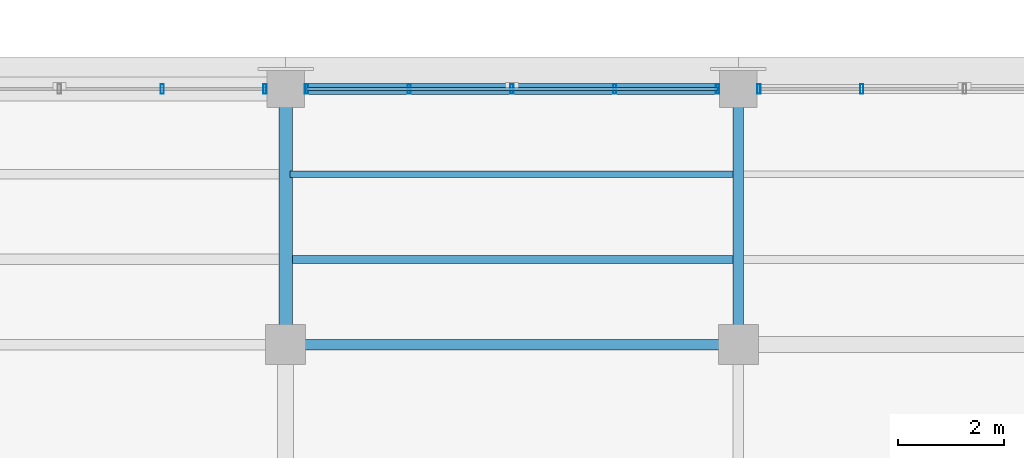
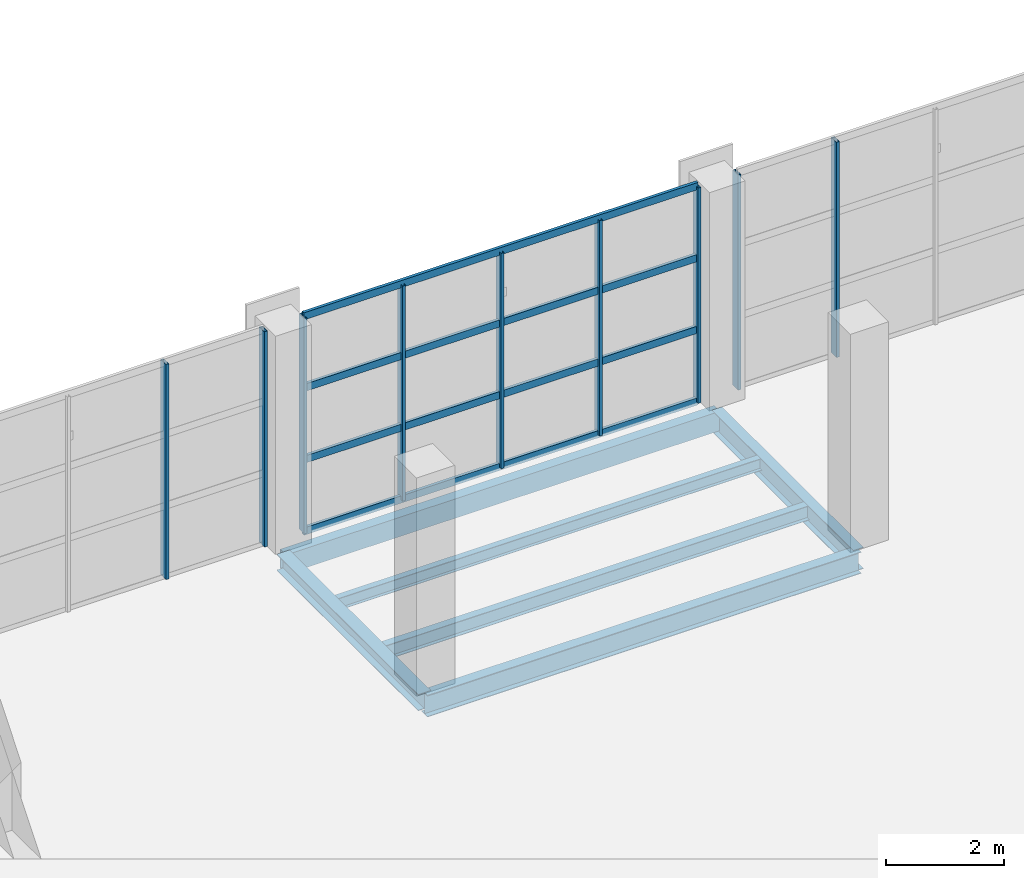
# One storey, part 19 of 101: 13 members, 6 beams, 3 elements without a shape of their own.
"""IFC4 building model written with IfcOpenShell, lengths in metres."""

from ifc_helpers import new_model, si_unit, direction, frame, origin, origin_2d, place, context, subcontext, project, spatial, hollow_rectangle, i_section, extrude, material, material_profile, profile_set, type_object, element, aggregate, save


model = new_model("IFC4")

# Units and contexts
model_context = context("Model", 3, precision=1e-05, world=origin(), true_north=direction((0.0, 1.0)))
body_context = subcontext(model_context, "Body", "Model", "MODEL_VIEW")
ifc_project = project(units=[si_unit("LENGTHUNIT", "METRE"), si_unit("AREAUNIT", "SQUARE_METRE"), si_unit("VOLUMEUNIT", "CUBIC_METRE"), si_unit("PLANEANGLEUNIT", "RADIAN"), si_unit("MASSUNIT", "GRAM", prefix="KILO")], contexts=[model_context])

# Site, building, storey
site_placement = place(None, origin())
site = spatial("IfcSite", under=ifc_project, at=site_placement, CompositionType="ELEMENT")
building_placement = place(site_placement, origin())
building = spatial("IfcBuilding", under=site, at=building_placement, Name="Solvikara Media Centre", CompositionType="ELEMENT")
storey_placement = place(building_placement, frame((0.0, 0.0, 10.199951171875)))
storey = spatial("IfcBuildingStorey", under=building, at=storey_placement, Name="L02", CompositionType="ELEMENT", Elevation=10.199951171875)

# Beams
ifc_material_1 = material(Name="Steel S355JR", Category="steel")
ifc_material_profile_1 = material_profile(ifc_material_1, i_section(OverallWidth=0.199951171875, OverallDepth=0.449951171875, WebThickness=0.009033203125, FlangeThickness=0.013916015625, at=origin_2d()), Name="WF 450x200x9x14")
ifc_profile_set_1 = profile_set([ifc_material_profile_1], Name="Steel S355JR")
beam_type_1 = type_object("IfcBeamType", Name="BM-20", PredefinedType="BEAM", material=ifc_profile_set_1)
beam_1_placement = place(storey_placement, frame((51.0, 32.0, -0.5068359375), z_axis=(1.0, 0.0, 0.0), x_axis=(0.0, 1.0, 0.0)))
element("IfcBeam", 1, at=beam_1_placement, inside=storey, type_object=beam_type_1, Name="B-L02-X0858", PredefinedType="BEAM", context=body_context, shape_type="SweptSolid", body=[
    extrude(i_section(OverallWidth=0.199951171875, OverallDepth=0.449951171875, WebThickness=0.009033203125, FlangeThickness=0.013916015625, at=origin_2d()), origin(), (0.0, 0.0, 1.0), 8.5),
])
ifc_material_profile_2 = material_profile(ifc_material_1, i_section(OverallWidth=0.25, OverallDepth=0.340087890625, WebThickness=0.009033203125, FlangeThickness=0.013916015625, at=origin_2d()), Name="H 340x250x9x14")
ifc_profile_set_2 = profile_set([ifc_material_profile_2], Name="Steel S355JR")
beam_type_2 = type_object("IfcBeamType", Name="BM-30", PredefinedType="BEAM", material=ifc_profile_set_2)
beam_2_placement = place(storey_placement, frame((51.0, 32.0, -0.451904296875), z_axis=(0.0, 1.0, 0.0), x_axis=(-1.0, 0.0, 0.0)))
element("IfcBeam", 2, at=beam_2_placement, inside=storey, type_object=beam_type_2, Name="B-L02-Y0962", PredefinedType="BEAM", context=body_context, shape_type="SweptSolid", body=[
    extrude(i_section(OverallWidth=0.25, OverallDepth=0.340087890625, WebThickness=0.009033203125, FlangeThickness=0.013916015625, at=origin_2d()), origin(), (0.0, 0.0, 1.0), 4.800048828125),
])
ifc_material_profile_3 = material_profile(ifc_material_1, hollow_rectangle(XDim=0.199951171875, YDim=0.39990234375, WallThickness=0.011962890625, at=origin_2d()), Name="RHS 400x200x12")
ifc_profile_set_3 = profile_set([ifc_material_profile_3], Name="Steel S355JR")
beam_type_3 = type_object("IfcBeamType", Name="BM-33", PredefinedType="SPANDREL", material=ifc_profile_set_3)
beam_3_placement = place(storey_placement, frame((51.0, 36.800048828125, -0.48193359375), z_axis=(1.0, 0.0, 0.0), x_axis=(0.0, 1.0, 0.0)))
element("IfcBeam", 3, at=beam_3_placement, inside=storey, type_object=beam_type_3, Name="B-L02-X0861", PredefinedType="SPANDREL", context=body_context, shape_type="SweptSolid", body=[
    extrude(hollow_rectangle(XDim=0.199951171875, YDim=0.39990234375, WallThickness=0.011962890625, at=origin_2d()), origin(), (0.0, 0.0, 1.0), 8.5),
])
ifc_material_profile_4 = material_profile(ifc_material_1, i_section(OverallWidth=0.14892578125, OverallDepth=0.298095703125, WebThickness=0.005615234375, FlangeThickness=0.008056640625, at=origin_2d()), Name="WF 298x149x5.5x8")
ifc_profile_set_4 = profile_set([ifc_material_profile_4], Name="Steel S355JR")
beam_type_4 = type_object("IfcBeamType", Name="BM-39", PredefinedType="JOIST", material=ifc_profile_set_4)
beam_4_placement = place(storey_placement, frame((51.077880859375, 33.60009765625, -0.430908203125), z_axis=(1.0, 0.0, 0.0), x_axis=(0.0, 1.0, 0.0)))
element("IfcBeam", 4, at=beam_4_placement, inside=storey, type_object=beam_type_4, Name="J-L02-1111", PredefinedType="JOIST", context=body_context, shape_type="SweptSolid", body=[
    extrude(i_section(OverallWidth=0.14892578125, OverallDepth=0.298095703125, WebThickness=0.005615234375, FlangeThickness=0.008056640625, at=origin_2d()), origin(), (0.0, 0.0, 1.0), 8.34423828125),
])
ifc_material_profile_5 = material_profile(ifc_material_1, i_section(OverallWidth=0.1240234375, OverallDepth=0.248046875, WebThickness=0.0048828125, FlangeThickness=0.008056640625, at=origin_2d()), Name="WF 248x124x5x8")
ifc_profile_set_5 = profile_set([ifc_material_profile_5], Name="Steel S355JR")
beam_type_5 = type_object("IfcBeamType", Name="BM-40", PredefinedType="JOIST", material=ifc_profile_set_5)
beam_5_placement = place(storey_placement, frame((51.077880859375, 35.199951171875, -0.406005859375), z_axis=(1.0, 0.0, 0.0), x_axis=(0.0, 1.0, 0.0)))
element("IfcBeam", 5, at=beam_5_placement, inside=storey, type_object=beam_type_5, Name="J-L02-1112", PredefinedType="JOIST", context=body_context, shape_type="SweptSolid", body=[
    extrude(i_section(OverallWidth=0.1240234375, OverallDepth=0.248046875, WebThickness=0.0048828125, FlangeThickness=0.008056640625, at=origin_2d()), origin(), (0.0, 0.0, 1.0), 8.34423828125),
])
ifc_material_profile_6 = material_profile(ifc_material_1, i_section(OverallWidth=0.198974609375, OverallDepth=0.446044921875, WebThickness=0.008056640625, FlangeThickness=0.011962890625, at=origin_2d()), Name="H 446x199x8x12")
ifc_profile_set_6 = profile_set([ifc_material_profile_6], Name="Steel S355JR")
beam_type_6 = type_object("IfcBeamType", Name="BM-43", PredefinedType="BEAM", material=ifc_profile_set_6)
beam_6_placement = place(storey_placement, frame((59.5, 32.0, -0.5048828125), z_axis=(0.0, 1.0, 0.0), x_axis=(-1.0, 0.0, 0.0)))
element("IfcBeam", 6, at=beam_6_placement, inside=storey, type_object=beam_type_6, Name="B-L02-Y0965", PredefinedType="BEAM", context=body_context, shape_type="SweptSolid", body=[
    extrude(i_section(OverallWidth=0.198974609375, OverallDepth=0.446044921875, WebThickness=0.008056640625, FlangeThickness=0.011962890625, at=origin_2d()), origin(), (0.0, 0.0, 1.0), 4.800048828125),
])

# Curtain wall, members
ifc_material_2 = material(Name="Anodised aluminium EN AW-6063", Category="aluminium")
curtain_wall_type = type_object("IfcCurtainWallType", Name="CW-05", PredefinedType="NOTDEFINED", material=ifc_material_2)
curtain_wall_1_placement = place(storey_placement, origin())
curtain_wall_1 = element("IfcCurtainWall", 7, at=curtain_wall_1_placement, inside=storey, type_object=curtain_wall_type, Name="CW-L02-V6N-1", PredefinedType="NOTDEFINED")
ifc_material_profile_7 = material_profile(ifc_material_2, hollow_rectangle(XDim=0.06005859375, YDim=0.179931640625, WallThickness=0.00341796875, at=origin_2d()), Name="ALU-M 60x180x3.5")
ifc_profile_set_7 = profile_set([ifc_material_profile_7], Name="Anodised aluminium EN AW-6063")
member_type_1 = type_object("IfcMemberType", Name="MF-03", PredefinedType="MULLION", material=ifc_profile_set_7)
member_1_placement = place(storey_placement, frame((48.679931640625, 36.800048828125, 0.02001953125), z_axis=(0.0, 0.0, 1.0), x_axis=(1.0, 0.0, 0.0)))
member_1 = element("IfcMember", 8, at=member_1_placement, type_object=member_type_1, Name="CW-L02-V6N-1-M03", PredefinedType="MULLION", context=body_context, shape_type="SweptSolid", body=[
    extrude(hollow_rectangle(XDim=0.06005859375, YDim=0.179931640625, WallThickness=0.00341796875, at=origin_2d()), origin(), (0.0, 0.0, 1.0), 4.4599609375),
])
member_2_placement = place(storey_placement, frame((50.610107421875, 36.800048828125, 0.02001953125), z_axis=(0.0, 0.0, 1.0), x_axis=(1.0, 0.0, 0.0)))
member_2 = element("IfcMember", 9, at=member_2_placement, type_object=member_type_1, Name="CW-L02-V6N-1-M04", PredefinedType="MULLION", context=body_context, shape_type="SweptSolid", body=[
    extrude(hollow_rectangle(XDim=0.06005859375, YDim=0.179931640625, WallThickness=0.00341796875, at=origin_2d()), origin(), (0.0, 0.0, 1.0), 4.4599609375),
])
aggregate(curtain_wall_1, [member_1, member_2])

curtain_wall_2_placement = place(storey_placement, origin())
curtain_wall_2 = element("IfcCurtainWall", 10, at=curtain_wall_2_placement, inside=storey, type_object=curtain_wall_type, Name="CW-L02-V6N-2", PredefinedType="NOTDEFINED")
member_3_placement = place(storey_placement, frame((51.389892578125, 36.800048828125, 0.02001953125), z_axis=(0.0, 0.0, 1.0), x_axis=(1.0, 0.0, 0.0)))
member_3 = element("IfcMember", 11, at=member_3_placement, type_object=member_type_1, Name="CW-L02-V6N-2-M00", PredefinedType="MULLION", context=body_context, shape_type="SweptSolid", body=[
    extrude(hollow_rectangle(XDim=0.06005859375, YDim=0.179931640625, WallThickness=0.00341796875, at=origin_2d()), origin(), (0.0, 0.0, 1.0), 4.4599609375),
])
member_4_placement = place(storey_placement, frame((53.320068359375, 36.800048828125, 0.02001953125), z_axis=(0.0, 0.0, 1.0), x_axis=(1.0, 0.0, 0.0)))
member_4 = element("IfcMember", 12, at=member_4_placement, type_object=member_type_1, Name="CW-L02-V6N-2-M01", PredefinedType="MULLION", context=body_context, shape_type="SweptSolid", body=[
    extrude(hollow_rectangle(XDim=0.06005859375, YDim=0.179931640625, WallThickness=0.00341796875, at=origin_2d()), origin(), (0.0, 0.0, 1.0), 4.4599609375),
])
member_5_placement = place(storey_placement, frame((55.25, 36.800048828125, 0.02001953125), z_axis=(0.0, 0.0, 1.0), x_axis=(1.0, 0.0, 0.0)))
member_5 = element("IfcMember", 13, at=member_5_placement, type_object=member_type_1, Name="CW-L02-V6N-2-M02", PredefinedType="MULLION", context=body_context, shape_type="SweptSolid", body=[
    extrude(hollow_rectangle(XDim=0.06005859375, YDim=0.179931640625, WallThickness=0.00341796875, at=origin_2d()), origin(), (0.0, 0.0, 1.0), 4.4599609375),
])
member_6_placement = place(storey_placement, frame((57.179931640625, 36.800048828125, 0.02001953125), z_axis=(0.0, 0.0, 1.0), x_axis=(1.0, 0.0, 0.0)))
member_6 = element("IfcMember", 14, at=member_6_placement, type_object=member_type_1, Name="CW-L02-V6N-2-M03", PredefinedType="MULLION", context=body_context, shape_type="SweptSolid", body=[
    extrude(hollow_rectangle(XDim=0.06005859375, YDim=0.179931640625, WallThickness=0.00341796875, at=origin_2d()), origin(), (0.0, 0.0, 1.0), 4.4599609375),
])
member_7_placement = place(storey_placement, frame((59.110107421875, 36.800048828125, 0.02001953125), z_axis=(0.0, 0.0, 1.0), x_axis=(1.0, 0.0, 0.0)))
member_7 = element("IfcMember", 15, at=member_7_placement, type_object=member_type_1, Name="CW-L02-V6N-2-M04", PredefinedType="MULLION", context=body_context, shape_type="SweptSolid", body=[
    extrude(hollow_rectangle(XDim=0.06005859375, YDim=0.179931640625, WallThickness=0.00341796875, at=origin_2d()), origin(), (0.0, 0.0, 1.0), 4.4599609375),
])

curtain_wall_3_placement = place(storey_placement, origin())
curtain_wall_3 = element("IfcCurtainWall", 16, at=curtain_wall_3_placement, inside=storey, type_object=curtain_wall_type, Name="CW-L02-V6N-3", PredefinedType="NOTDEFINED")
member_8_placement = place(storey_placement, frame((59.889892578125, 36.800048828125, 0.02001953125), z_axis=(0.0, 0.0, 1.0), x_axis=(1.0, 0.0, 0.0)))
member_8 = element("IfcMember", 17, at=member_8_placement, type_object=member_type_1, Name="CW-L02-V6N-3-M00", PredefinedType="MULLION", context=body_context, shape_type="SweptSolid", body=[
    extrude(hollow_rectangle(XDim=0.06005859375, YDim=0.179931640625, WallThickness=0.00341796875, at=origin_2d()), origin(), (0.0, 0.0, 1.0), 4.4599609375),
])
member_9_placement = place(storey_placement, frame((61.820068359375, 36.800048828125, 0.02001953125), z_axis=(0.0, 0.0, 1.0), x_axis=(1.0, 0.0, 0.0)))
member_9 = element("IfcMember", 18, at=member_9_placement, type_object=member_type_1, Name="CW-L02-V6N-3-M01", PredefinedType="MULLION", context=body_context, shape_type="SweptSolid", body=[
    extrude(hollow_rectangle(XDim=0.06005859375, YDim=0.179931640625, WallThickness=0.00341796875, at=origin_2d()), origin(), (0.0, 0.0, 1.0), 4.4599609375),
])
aggregate(curtain_wall_3, [member_8, member_9])

# Member
ifc_material_profile_8 = material_profile(ifc_material_2, hollow_rectangle(XDim=0.06005859375, YDim=0.14990234375, WallThickness=0.0029296875, at=origin_2d()), Name="ALU-T 60x150x3")
ifc_profile_set_8 = profile_set([ifc_material_profile_8], Name="Anodised aluminium EN AW-6063")
member_type_2 = type_object("IfcMemberType", Name="MF-09", PredefinedType="USERDEFINED", material=ifc_profile_set_8)
member_10_placement = place(storey_placement, frame((51.389892578125, 36.800048828125, 0.02001953125), z_axis=(1.0, 0.0, 0.0), x_axis=(0.0, 1.0, 0.0)))
member_10 = element("IfcMember", 19, at=member_10_placement, type_object=member_type_2, Name="CW-L02-V6N-2-T00", ObjectType="TRANSOM", PredefinedType="USERDEFINED", context=body_context, shape_type="SweptSolid", body=[
    extrude(hollow_rectangle(XDim=0.06005859375, YDim=0.14990234375, WallThickness=0.0029296875, at=origin_2d()), origin(), (0.0, 0.0, 1.0), 7.72021484375),
])

member_11_placement = place(storey_placement, frame((51.389892578125, 36.800048828125, 1.507080078125), z_axis=(1.0, 0.0, 0.0), x_axis=(0.0, 1.0, 0.0)))
member_11 = element("IfcMember", 20, at=member_11_placement, type_object=member_type_2, Name="CW-L02-V6N-2-T01", ObjectType="TRANSOM", PredefinedType="USERDEFINED", context=body_context, shape_type="SweptSolid", body=[
    extrude(hollow_rectangle(XDim=0.06005859375, YDim=0.14990234375, WallThickness=0.0029296875, at=origin_2d()), origin(), (0.0, 0.0, 1.0), 7.72021484375),
])

member_12_placement = place(storey_placement, frame((51.389892578125, 36.800048828125, 2.9931640625), z_axis=(1.0, 0.0, 0.0), x_axis=(0.0, 1.0, 0.0)))
member_12 = element("IfcMember", 21, at=member_12_placement, type_object=member_type_2, Name="CW-L02-V6N-2-T02", ObjectType="TRANSOM", PredefinedType="USERDEFINED", context=body_context, shape_type="SweptSolid", body=[
    extrude(hollow_rectangle(XDim=0.06005859375, YDim=0.14990234375, WallThickness=0.0029296875, at=origin_2d()), origin(), (0.0, 0.0, 1.0), 7.72021484375),
])

member_13_placement = place(storey_placement, frame((51.389892578125, 36.800048828125, 4.47998046875), z_axis=(1.0, 0.0, 0.0), x_axis=(0.0, 1.0, 0.0)))
member_13 = element("IfcMember", 22, at=member_13_placement, type_object=member_type_2, Name="CW-L02-V6N-2-T03", ObjectType="TRANSOM", PredefinedType="USERDEFINED", context=body_context, shape_type="SweptSolid", body=[
    extrude(hollow_rectangle(XDim=0.06005859375, YDim=0.14990234375, WallThickness=0.0029296875, at=origin_2d()), origin(), (0.0, 0.0, 1.0), 7.72021484375),
])

aggregate(curtain_wall_2, [member_3, member_4, member_5, member_6, member_7, member_10, member_11, member_12, member_13])

save(model, "model.ifc")
